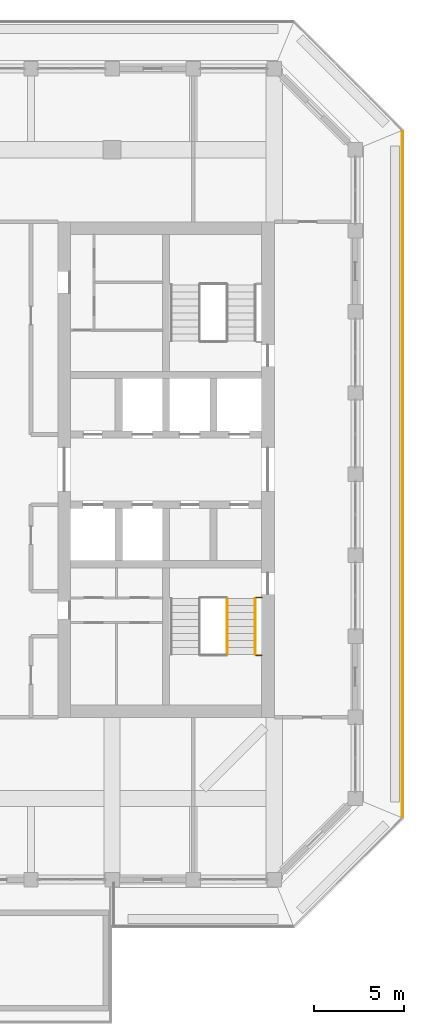
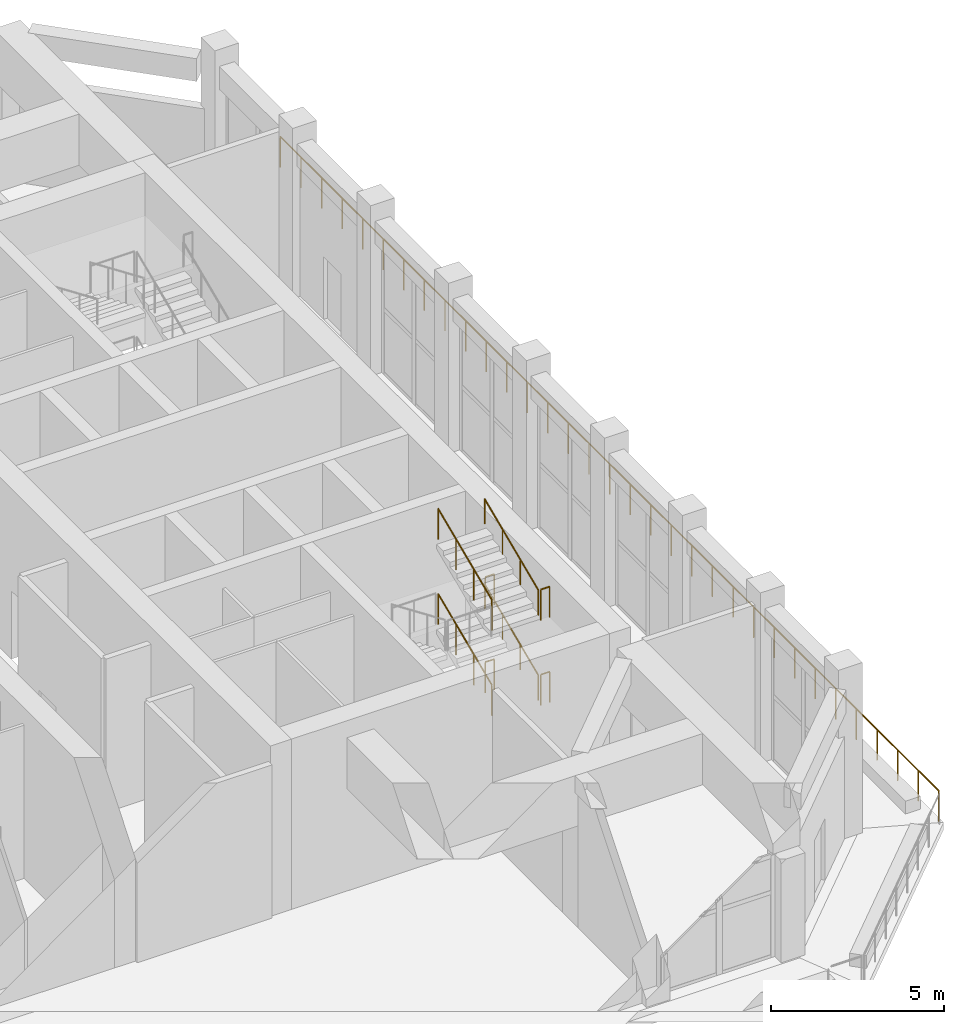
# One storey, part 16 of 20: 9 railings.
"""IFC4 building model written with IfcOpenShell, lengths in metres."""

from ifc_helpers import new_model, si_unit, direction, frame, origin, origin_2d, place, context, subcontext, project, spatial, circle, extrude, material, type_object, element, save


model = new_model("IFC4")

# Units and contexts
model_context = context("Model", 3, precision=1e-05, world=origin(), true_north=direction((0.0, 1.0)))
body_context = subcontext(model_context, "Body", "Model", "MODEL_VIEW")
ifc_project = project(units=[si_unit("LENGTHUNIT", "METRE"), si_unit("AREAUNIT", "SQUARE_METRE"), si_unit("VOLUMEUNIT", "CUBIC_METRE"), si_unit("PLANEANGLEUNIT", "RADIAN"), si_unit("MASSUNIT", "GRAM", prefix="KILO")], contexts=[model_context])

# Site, building, storey
site_placement = place(None, origin())
site = spatial("IfcSite", under=ifc_project, at=site_placement, CompositionType="ELEMENT")
building_placement = place(site_placement, origin())
building = spatial("IfcBuilding", under=site, at=building_placement, Name="Corbel Stack Research Tower", CompositionType="ELEMENT")
storey_placement = place(building_placement, frame((0.0, 0.0, 295.0)))
storey = spatial("IfcBuildingStorey", under=building, at=storey_placement, Name="L67", CompositionType="ELEMENT", Elevation=295.0)

# Railings
ifc_material_1 = material(Name="Steel S355", Category="steel")
railing_type_1 = type_object("IfcRailingType", Name="Stair guard 1100", PredefinedType="GUARDRAIL", material=ifc_material_1)
railing_1_placement = place(storey_placement, frame((17.0, -5.553955078125, 1.5)))
element("IfcRailing", 1, at=railing_1_placement, inside=storey, type_object=railing_type_1, Name="L67 ST-E1 stair guard 3", PredefinedType="GUARDRAIL", context=body_context, shape_type="SweptSolid", body=[
    extrude(circle(Radius=0.02392578125, at=origin_2d()), frame((0.0, 0.0, 1.076171875), z_axis=(1.0, 0.0, 0.0), x_axis=(0.0, 1.0, 0.0)), (0.0, 0.0, 1.0), 0.300048828125),
    extrude(circle(Radius=0.02099609375, at=origin_2d()), origin(), (0.0, 0.0, 1.0), 1.052001953125),
    extrude(circle(Radius=0.02099609375, at=origin_2d()), frame((0.300048828125, 0.0, 0.0)), (0.0, 0.0, 1.0), 1.052001953125),
])
railing_2_placement = place(storey_placement, frame((15.39990234375, -5.50390625, 1.666748046875)))
element("IfcRailing", 2, at=railing_2_placement, inside=storey, type_object=railing_type_1, Name="L67 ST-E1 stair guard 4", PredefinedType="GUARDRAIL", context=body_context, shape_type="SweptSolid", body=[
    extrude(circle(Radius=0.02392578125, at=origin_2d()), frame((0.0, 0.0, 1.076171875), z_axis=(0.0, 0.918826996994, 0.394660549834), x_axis=(-1.0, 0.0, 0.0)), (0.0, 0.0, 1.0), 3.378173828125),
    extrude(circle(Radius=0.02099609375, at=origin_2d()), origin(), (0.0, 0.0, 1.0), 1.052001953125),
    extrude(circle(Radius=0.02099609375, at=origin_2d()), frame((0.0, 1.03466796875, 0.4443359375)), (0.0, 0.0, 1.0), 1.052001953125),
    extrude(circle(Radius=0.02099609375, at=origin_2d()), frame((0.0, 2.0693359375, 0.888916015625)), (0.0, 0.0, 1.0), 1.052001953125),
    extrude(circle(Radius=0.02099609375, at=origin_2d()), frame((0.0, 3.10400390625, 1.333251953125)), (0.0, 0.0, 1.0), 1.052001953125),
])
for number, where, name in (
    (3, (17.0, -2.35009765625, 3.0), "L67 ST-E1 stair guard 6"),
    (4, (17.0, -5.553955078125, 4.5), "L67 ST-E1 stair guard 9"),
):
    element("IfcRailing", number, at=place(storey_placement, frame(where)), inside=storey, type_object=railing_type_1, Name=name, PredefinedType="GUARDRAIL", context=body_context, shape_type="SweptSolid", body=[
        extrude(circle(Radius=0.02392578125, at=origin_2d()), frame((0.0, 0.0, 1.076171875), z_axis=(1.0, 0.0, 0.0), x_axis=(0.0, 1.0, 0.0)), (0.0, 0.0, 1.0), 0.300048828125),
        extrude(circle(Radius=0.02099609375, at=origin_2d()), origin(), (0.0, 0.0, 1.0), 1.052001953125),
        extrude(circle(Radius=0.02099609375, at=origin_2d()), frame((0.300048828125, 0.0, 0.0)), (0.0, 0.0, 1.0), 1.052001953125),
    ])
railing_3_placement = place(storey_placement, frame((15.39990234375, -5.50390625, 4.666748046875)))
element("IfcRailing", 5, at=railing_3_placement, inside=storey, type_object=railing_type_1, Name="L67 ST-E1 stair guard 10", PredefinedType="GUARDRAIL", context=body_context, shape_type="SweptSolid", body=[
    extrude(circle(Radius=0.02392578125, at=origin_2d()), frame((0.0, 0.0, 1.076171875), z_axis=(0.0, 0.918826996994, 0.394660549834), x_axis=(-1.0, 0.0, 0.0)), (0.0, 0.0, 1.0), 3.378173828125),
    extrude(circle(Radius=0.02099609375, at=origin_2d()), origin(), (0.0, 0.0, 1.0), 1.052001953125),
    extrude(circle(Radius=0.02099609375, at=origin_2d()), frame((0.0, 1.03466796875, 0.4443359375)), (0.0, 0.0, 1.0), 1.052001953125),
    extrude(circle(Radius=0.02099609375, at=origin_2d()), frame((0.0, 2.0693359375, 0.888916015625)), (0.0, 0.0, 1.0), 1.052001953125),
    extrude(circle(Radius=0.02099609375, at=origin_2d()), frame((0.0, 3.10400390625, 1.333251953125)), (0.0, 0.0, 1.0), 1.052001953125),
])
railing_4_placement = place(storey_placement, frame((17.0, -2.35009765625, 0.0)))
element("IfcRailing", 6, at=railing_4_placement, inside=storey, type_object=railing_type_1, Name="L67 ST-E1 stair guard 12", PredefinedType="GUARDRAIL", context=body_context, shape_type="SweptSolid", body=[
    extrude(circle(Radius=0.02392578125, at=origin_2d()), frame((0.0, 0.0, 1.076171875), z_axis=(1.0, 0.0, 0.0), x_axis=(0.0, 1.0, 0.0)), (0.0, 0.0, 1.0), 0.300048828125),
    extrude(circle(Radius=0.02099609375, at=origin_2d()), origin(), (0.0, 0.0, 1.0), 1.052001953125),
    extrude(circle(Radius=0.02099609375, at=origin_2d()), frame((0.300048828125, 0.0, 0.0)), (0.0, 0.0, 1.0), 1.052001953125),
])
ifc_material_2 = material(Name="Steel S355", Category="steel")
railing_type_2 = type_object("IfcRailingType", Name="Stair handrail 900", PredefinedType="HANDRAIL", material=ifc_material_2)
for number, where, name in (
    (7, (16.949951171875, -5.50390625, 1.666748046875), "L67 ST-E1 stair handrail 2"),
    (8, (16.949951171875, -5.50390625, 4.666748046875), "L67 ST-E1 stair handrail 4"),
):
    element("IfcRailing", number, at=place(storey_placement, frame(where)), inside=storey, type_object=railing_type_2, Name=name, PredefinedType="HANDRAIL", context=body_context, shape_type="SweptSolid", body=[
        extrude(circle(Radius=0.02392578125, at=origin_2d()), frame((0.0, 0.0, 0.8759765625), z_axis=(0.0, 0.918826996994, 0.394660549834), x_axis=(-1.0, 0.0, 0.0)), (0.0, 0.0, 1.0), 3.378173828125),
        extrude(circle(Radius=0.02099609375, at=origin_2d()), origin(), (0.0, 0.0, 1.0), 0.851806640625),
        extrude(circle(Radius=0.02099609375, at=origin_2d()), frame((0.0, 1.03466796875, 0.4443359375)), (0.0, 0.0, 1.0), 0.851806640625),
        extrude(circle(Radius=0.02099609375, at=origin_2d()), frame((0.0, 2.0693359375, 0.888916015625)), (0.0, 0.0, 1.0), 0.851806640625),
        extrude(circle(Radius=0.02099609375, at=origin_2d()), frame((0.0, 3.10400390625, 1.333251953125)), (0.0, 0.0, 1.0), 0.851806640625),
    ])
ifc_material_3 = material(Name="Powder-coated steel guard", Category="steel")
railing_type_3 = type_object("IfcRailingType", Name="Steel and glass guard 1100", PredefinedType="GUARDRAIL", material=ifc_material_3)
railing_5_placement = place(storey_placement, frame((25.10009765625, -14.50537109375, 0.0)))
element("IfcRailing", 9, at=railing_5_placement, inside=storey, type_object=railing_type_3, Name="Loggia guard L67 E", PredefinedType="GUARDRAIL", context=body_context, shape_type="SweptSolid", body=[
    extrude(circle(Radius=0.02392578125, at=origin_2d()), frame((0.0, 0.0, 1.076171875), z_axis=(0.0, 1.0, 0.0), x_axis=(-1.0, 0.0, 0.0)), (0.0, 0.0, 1.0), 38.0107421875),
    extrude(circle(Radius=0.02099609375, at=origin_2d()), origin(), (0.0, 0.0, 1.0), 1.052001953125),
    extrude(circle(Radius=0.02099609375, at=origin_2d()), frame((0.0, 1.187744140625, 0.0)), (0.0, 0.0, 1.0), 1.052001953125),
    extrude(circle(Radius=0.02099609375, at=origin_2d()), frame((0.0, 2.375732421875, 0.0)), (0.0, 0.0, 1.0), 1.052001953125),
    extrude(circle(Radius=0.02099609375, at=origin_2d()), frame((0.0, 3.5634765625, 0.0)), (0.0, 0.0, 1.0), 1.052001953125),
    extrude(circle(Radius=0.02099609375, at=origin_2d()), frame((0.0, 4.75146484375, 0.0)), (0.0, 0.0, 1.0), 1.052001953125),
    extrude(circle(Radius=0.02099609375, at=origin_2d()), frame((0.0, 5.939208984375, 0.0)), (0.0, 0.0, 1.0), 1.052001953125),
    extrude(circle(Radius=0.02099609375, at=origin_2d()), frame((0.0, 7.126953125, 0.0)), (0.0, 0.0, 1.0), 1.052001953125),
    extrude(circle(Radius=0.02099609375, at=origin_2d()), frame((0.0, 8.31494140625, 0.0)), (0.0, 0.0, 1.0), 1.052001953125),
    extrude(circle(Radius=0.02099609375, at=origin_2d()), frame((0.0, 9.502685546875, 0.0)), (0.0, 0.0, 1.0), 1.052001953125),
    extrude(circle(Radius=0.02099609375, at=origin_2d()), frame((0.0, 10.6904296875, 0.0)), (0.0, 0.0, 1.0), 1.052001953125),
    extrude(circle(Radius=0.02099609375, at=origin_2d()), frame((0.0, 11.87841796875, 0.0)), (0.0, 0.0, 1.0), 1.052001953125),
    extrude(circle(Radius=0.02099609375, at=origin_2d()), frame((0.0, 13.066162109375, 0.0)), (0.0, 0.0, 1.0), 1.052001953125),
    extrude(circle(Radius=0.02099609375, at=origin_2d()), frame((0.0, 14.25390625, 0.0)), (0.0, 0.0, 1.0), 1.052001953125),
    extrude(circle(Radius=0.02099609375, at=origin_2d()), frame((0.0, 15.44189453125, 0.0)), (0.0, 0.0, 1.0), 1.052001953125),
    extrude(circle(Radius=0.02099609375, at=origin_2d()), frame((0.0, 16.629638671875, 0.0)), (0.0, 0.0, 1.0), 1.052001953125),
    extrude(circle(Radius=0.02099609375, at=origin_2d()), frame((0.0, 17.817626953125, 0.0)), (0.0, 0.0, 1.0), 1.052001953125),
    extrude(circle(Radius=0.02099609375, at=origin_2d()), frame((0.0, 19.00537109375, 0.0)), (0.0, 0.0, 1.0), 1.052001953125),
    extrude(circle(Radius=0.02099609375, at=origin_2d()), frame((0.0, 20.193115234375, 0.0)), (0.0, 0.0, 1.0), 1.052001953125),
    extrude(circle(Radius=0.02099609375, at=origin_2d()), frame((0.0, 21.381103515625, 0.0)), (0.0, 0.0, 1.0), 1.052001953125),
    extrude(circle(Radius=0.02099609375, at=origin_2d()), frame((0.0, 22.56884765625, 0.0)), (0.0, 0.0, 1.0), 1.052001953125),
    extrude(circle(Radius=0.02099609375, at=origin_2d()), frame((0.0, 23.7568359375, 0.0)), (0.0, 0.0, 1.0), 1.052001953125),
    extrude(circle(Radius=0.02099609375, at=origin_2d()), frame((0.0, 24.944580078125, 0.0)), (0.0, 0.0, 1.0), 1.052001953125),
    extrude(circle(Radius=0.02099609375, at=origin_2d()), frame((0.0, 26.13232421875, 0.0)), (0.0, 0.0, 1.0), 1.052001953125),
    extrude(circle(Radius=0.02099609375, at=origin_2d()), frame((0.0, 27.3203125, 0.0)), (0.0, 0.0, 1.0), 1.052001953125),
    extrude(circle(Radius=0.02099609375, at=origin_2d()), frame((0.0, 28.508056640625, 0.0)), (0.0, 0.0, 1.0), 1.052001953125),
    extrude(circle(Radius=0.02099609375, at=origin_2d()), frame((0.0, 29.69580078125, 0.0)), (0.0, 0.0, 1.0), 1.052001953125),
    extrude(circle(Radius=0.02099609375, at=origin_2d()), frame((0.0, 30.8837890625, 0.0)), (0.0, 0.0, 1.0), 1.052001953125),
    extrude(circle(Radius=0.02099609375, at=origin_2d()), frame((0.0, 32.071533203125, 0.0)), (0.0, 0.0, 1.0), 1.052001953125),
    extrude(circle(Radius=0.02099609375, at=origin_2d()), frame((0.0, 33.25927734375, 0.0)), (0.0, 0.0, 1.0), 1.052001953125),
    extrude(circle(Radius=0.02099609375, at=origin_2d()), frame((0.0, 34.447265625, 0.0)), (0.0, 0.0, 1.0), 1.052001953125),
    extrude(circle(Radius=0.02099609375, at=origin_2d()), frame((0.0, 35.635009765625, 0.0)), (0.0, 0.0, 1.0), 1.052001953125),
    extrude(circle(Radius=0.02099609375, at=origin_2d()), frame((0.0, 36.822998046875, 0.0)), (0.0, 0.0, 1.0), 1.052001953125),
    extrude(circle(Radius=0.02099609375, at=origin_2d()), frame((0.0, 38.0107421875, 0.0)), (0.0, 0.0, 1.0), 1.052001953125),
])

save(model, "model.ifc")
